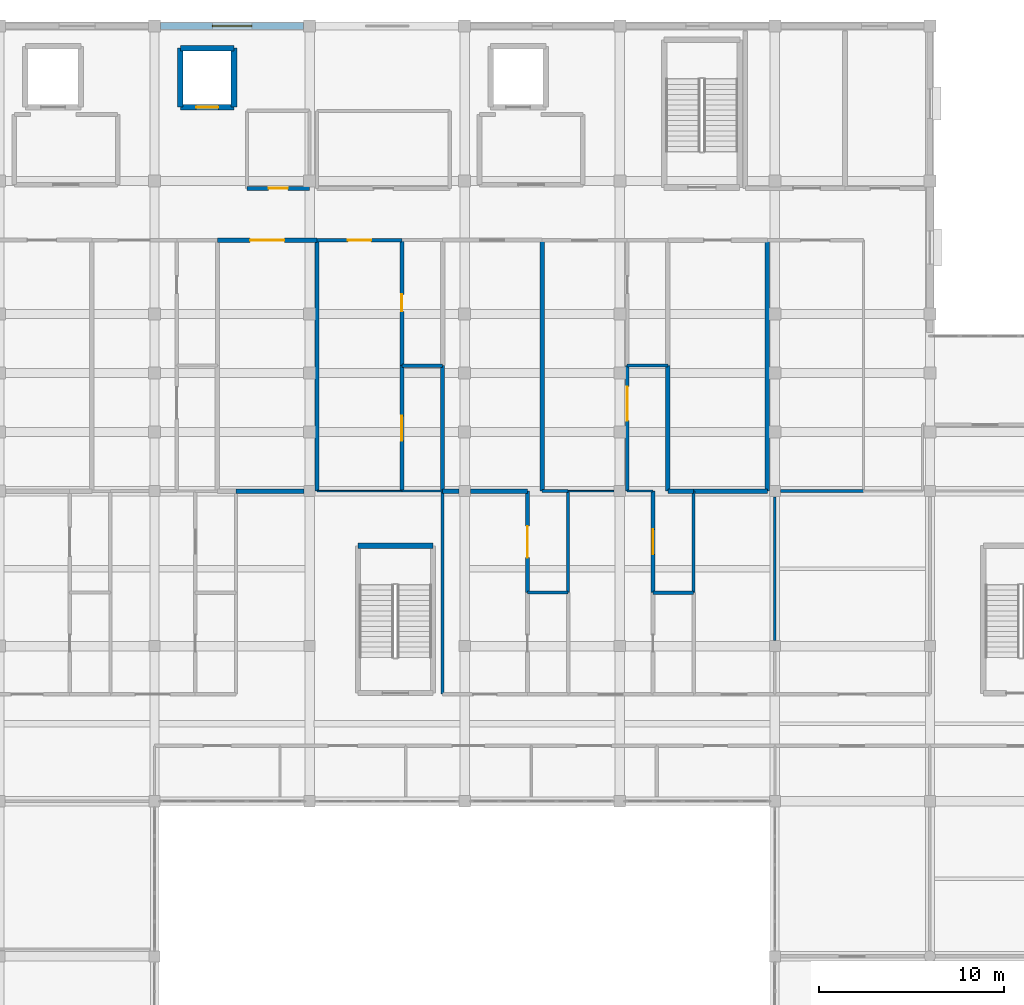
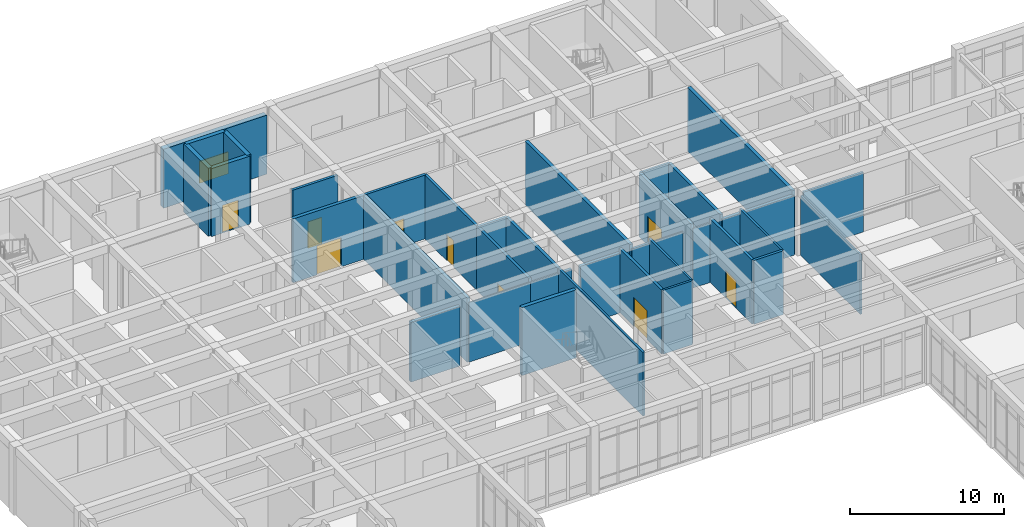
# One storey, part 58 of 89: 38 walls, 9 doors, 1 window, 10 openings.
"""IFC4 building model written with IfcOpenShell, lengths in metres."""

from ifc_helpers import new_model, si_unit, direction, frame, frame_2d, origin, place, context, subcontext, project, spatial, rectangle, extrude, material, layer, layer_set, type_object, element, fill, save


model = new_model("IFC4")

# Units and contexts
model_context = context("Model", 3, precision=1e-05, world=origin(), true_north=direction((0.0, 1.0)))
body_context = subcontext(model_context, "Body", "Model", "MODEL_VIEW")
ifc_project = project(units=[si_unit("LENGTHUNIT", "METRE"), si_unit("AREAUNIT", "SQUARE_METRE"), si_unit("VOLUMEUNIT", "CUBIC_METRE"), si_unit("PLANEANGLEUNIT", "RADIAN"), si_unit("MASSUNIT", "GRAM", prefix="KILO")], contexts=[model_context])

# Site, building, storey
site_placement = place(None, origin())
site = spatial("IfcSite", under=ifc_project, at=site_placement, CompositionType="ELEMENT")
building_placement = place(site_placement, origin())
building = spatial("IfcBuilding", under=site, at=building_placement, Name="Varncliffe General Hospital", CompositionType="ELEMENT")
storey_placement = place(building_placement, frame((0.0, 0.0, 10.800048828125)))
storey = spatial("IfcBuildingStorey", under=building, at=storey_placement, Name="L02", CompositionType="ELEMENT", Elevation=10.800048828125)

# Wall, opening, window
ifc_material_1 = material(Name="Precast concrete C40/50 with insulated cream lime-cement stucco", Category="concrete")
ifc_layer_1 = layer(ifc_material_1, 0.39990234375)
ifc_layer_set_1 = layer_set([ifc_layer_1], Name="Precast concrete C40/50 with insulated cream lime-cement stucco")
wall_type_1 = type_object("IfcWallType", Name="Exterior Insulated Stucco Wall EW47 (400mm)", PredefinedType="SOLIDWALL", material=ifc_layer_set_1)
wall_1_placement = place(storey_placement, frame((25.52294921875, 124.800048828125, 0.0), z_axis=(0.0, 0.0, 1.0), x_axis=(1.0, 0.0, 0.0)))
wall_1 = element("IfcWall", 1, at=wall_1_placement, inside=storey, type_object=wall_type_1, Name="L02 Exterior Stucco Wall EW47-175", PredefinedType="SOLIDWALL", context=body_context, shape_type="SweptSolid", body=[
    extrude(rectangle(XDim=7.754150390625, YDim=0.39990234375, at=frame_2d((3.876953125, 0.0))), origin(), (0.0, 0.0, 1.0), 4.679931640625),
])
opening_1_placement = place(wall_1_placement, frame((2.802001953125, 0.0, 0.89990234375)))
opening_1 = element("IfcOpeningElement", 2, at=opening_1_placement, cuts=wall_1, Name="Opening WN63", PredefinedType="OPENING", context=body_context, shape_type="SweptSolid", body=[
    extrude(rectangle(XDim=2.14990234375, YDim=1.75, at=frame_2d((1.074951171875, 0.875))), frame((0.0, 0.2099609375, 0.0), z_axis=(0.0, -1.0, 0.0), x_axis=(1.0, 0.0, 0.0)), (0.0, 0.0, 1.0), 0.419921875),
])
ifc_material_2 = material(Name="Triple low-E argon insulated vision glazing", Category="glass")
window_type = type_object("IfcWindowType", Name="Triple-Glazed Hospital Window WN63 (2150x1750)", PartitioningType="DOUBLE_PANEL_VERTICAL", PredefinedType="WINDOW", material=ifc_material_2)
window_placement = place(opening_1_placement, origin())
window = element("IfcWindow", 3, at=window_placement, inside=storey, type_object=window_type, Name="L02 Hospital Window WN63-110", OverallHeight=1.75, OverallWidth=2.14990234375, PartitioningType="DOUBLE_PANEL_VERTICAL", PredefinedType="WINDOW", context=body_context, shape_type="SweptSolid", body=[
    extrude(rectangle(XDim=2.14990234375, YDim=1.75, at=frame_2d((1.074951171875, 0.875))), frame((0.0, 0.030029296875, 0.0), z_axis=(0.0, -1.0, 0.0), x_axis=(1.0, 0.0, 0.0)), (0.0, 0.0, 1.0), 0.06005859375),
])
fill(opening_1, window)

# Walls
ifc_material_3 = material(Name="Acoustic clinical gypsum stud partition assembly", Category="gypsum")
ifc_layer_2 = layer(ifc_material_3, 0.1298828125)
ifc_layer_set_2 = layer_set([ifc_layer_2], Name="Acoustic clinical gypsum stud partition assembly")
wall_type_2 = type_object("IfcWallType", Name="Interior Partitioning IW11 (130mm)", PredefinedType="PARTITIONING", material=ifc_layer_set_2)
wall_2_placement = place(storey_placement, frame((58.800048828125, 91.514892578125, 0.0), z_axis=(0.0, 0.0, 1.0), x_axis=(0.0, 1.0, 0.0)))
element("IfcWall", 4, at=wall_2_placement, inside=storey, type_object=wall_type_2, Name="L02 Interior Partition Wall IW11-1193", PredefinedType="PARTITIONING", context=body_context, shape_type="SweptSolid", body=[
    extrude(rectangle(XDim=7.77001953125, YDim=0.1298828125, at=frame_2d((3.885009765625, 0.0))), origin(), (0.0, 0.0, 1.0), 4.73486328125),
])
ifc_layer_3 = layer(ifc_material_3, 0.169921875)
ifc_layer_set_3 = layer_set([ifc_layer_3], Name="Acoustic clinical gypsum stud partition assembly")
wall_type_3 = type_object("IfcWallType", Name="Interior Partitioning IW20 (170mm)", PredefinedType="PARTITIONING", material=ifc_layer_set_3)
wall_3_placement = place(storey_placement, frame((46.199951171875, 99.60009765625, 0.0), z_axis=(0.0, 0.0, 1.0), x_axis=(1.0, 0.0, 0.0)))
element("IfcWall", 5, at=wall_3_placement, inside=storey, type_object=wall_type_3, Name="L02 Interior Partition Wall IW20-1010", PredefinedType="PARTITIONING", context=body_context, shape_type="SweptSolid", body=[
    extrude(rectangle(XDim=1.400146484375, YDim=0.169921875, at=frame_2d((0.7001953125, 0.0))), origin(), (0.0, 0.0, 1.0), 4.73486328125),
])
wall_4_placement = place(storey_placement, frame((59.114990234375, 99.60009765625, 0.0), z_axis=(0.0, 0.0, 1.0), x_axis=(1.0, 0.0, 0.0)))
element("IfcWall", 6, at=wall_4_placement, inside=storey, type_object=wall_type_3, Name="L02 Interior Partition Wall IW20-1015", PredefinedType="PARTITIONING", context=body_context, shape_type="SweptSolid", body=[
    extrude(rectangle(XDim=4.485107421875, YDim=0.169921875, at=frame_2d((2.24267578125, 0.0))), origin(), (0.0, 0.0, 1.0), 4.73486328125),
])
ifc_layer_4 = layer(ifc_material_3, 0.14990234375)
ifc_layer_set_4 = layer_set([ifc_layer_4], Name="Acoustic clinical gypsum stud partition assembly")
wall_type_4 = type_object("IfcWallType", Name="Interior Partitioning IW35 (150mm)", PredefinedType="PARTITIONING", material=ifc_layer_set_4)
wall_5_placement = place(storey_placement, frame((40.800048828125, 88.60009765625, 0.0), z_axis=(0.0, 0.0, 1.0), x_axis=(0.0, 1.0, 0.0)))
element("IfcWall", 7, at=wall_5_placement, inside=storey, type_object=wall_type_4, Name="L02 Interior Partition Wall IW35-1169", PredefinedType="PARTITIONING", context=body_context, shape_type="SweptSolid", body=[
    extrude(rectangle(XDim=11.0, YDim=0.14990234375, at=frame_2d((5.5, 0.0))), origin(), (0.0, 0.0, 1.0), 5.070068359375),
])
for number, where, z_axis, x_axis, name in (
    (8, (47.60009765625, 94.10009765625, 0.0), (0.0, 0.0, 1.0), (0.0, 1.0, 0.0), "L02 Interior Partition Wall IW35-1179"),
    (9, (54.39990234375, 94.10009765625, 0.0), (0.0, 0.0, 1.0), (0.0, 1.0, 0.0), "L02 Interior Partition Wall IW35-1189"),
):
    element("IfcWall", number, at=place(storey_placement, frame(where, z_axis=z_axis, x_axis=x_axis)), inside=storey, type_object=wall_type_4, Name=name, PredefinedType="PARTITIONING", context=body_context, shape_type="SweptSolid", body=[
        extrude(rectangle(XDim=5.5, YDim=0.14990234375, at=frame_2d((2.75, 0.0))), origin(), (0.0, 0.0, 1.0), 5.070068359375),
    ])
ifc_layer_5 = layer(ifc_material_3, 0.090087890625)
ifc_layer_set_5 = layer_set([ifc_layer_5], Name="Acoustic clinical gypsum stud partition assembly")
wall_type_5 = type_object("IfcWallType", Name="Interior Partitioning IW42 (90mm)", PredefinedType="PARTITIONING", material=ifc_layer_set_5)
wall_6_placement = place(storey_placement, frame((34.0, 99.60009765625, 0.0), z_axis=(0.0, 0.0, 1.0), x_axis=(1.0, 0.0, 0.0)))
element("IfcWall", 10, at=wall_6_placement, inside=storey, type_object=wall_type_5, Name="L02 Interior Partition Wall IW42-1006", PredefinedType="PARTITIONING", context=body_context, shape_type="SweptSolid", body=[
    extrude(rectangle(XDim=4.60009765625, YDim=0.090087890625, at=frame_2d((2.300048828125, 0.0))), origin(), (0.0, 0.0, 1.0), 4.73486328125),
])
wall_7_placement = place(storey_placement, frame((47.60009765625, 99.60009765625, 0.0), z_axis=(0.0, 0.0, 1.0), x_axis=(1.0, 0.0, 0.0)))
element("IfcWall", 11, at=wall_7_placement, inside=storey, type_object=wall_type_5, Name="L02 Interior Partition Wall IW42-1011", PredefinedType="PARTITIONING", context=body_context, shape_type="SweptSolid", body=[
    extrude(rectangle(XDim=2.48486328125, YDim=0.090087890625, at=frame_2d((1.242431640625, 0.0))), origin(), (0.0, 0.0, 1.0), 4.73486328125),
])
ifc_layer_6 = layer(ifc_material_3, 0.110107421875)
ifc_layer_set_6 = layer_set([ifc_layer_6], Name="Acoustic clinical gypsum stud partition assembly")
wall_type_6 = type_object("IfcWallType", Name="Interior Partitioning IW65 (110mm)", PredefinedType="PARTITIONING", material=ifc_layer_set_6)
wall_8_placement = place(storey_placement, frame((38.60009765625, 99.60009765625, 0.0), z_axis=(0.0, 0.0, 1.0), x_axis=(1.0, 0.0, 0.0)))
element("IfcWall", 12, at=wall_8_placement, inside=storey, type_object=wall_type_6, Name="L02 Interior Partition Wall IW65-1007", PredefinedType="PARTITIONING", context=body_context, shape_type="SweptSolid", body=[
    extrude(rectangle(XDim=2.199951171875, YDim=0.110107421875, at=frame_2d((1.10009765625, 0.0))), origin(), (0.0, 0.0, 1.0), 4.73486328125),
])
wall_9_placement = place(storey_placement, frame((50.800048828125, 99.60009765625, 0.0), z_axis=(0.0, 0.0, 1.0), x_axis=(1.0, 0.0, 0.0)))
element("IfcWall", 13, at=wall_9_placement, inside=storey, type_object=wall_type_6, Name="L02 Interior Partition Wall IW65-1012", PredefinedType="PARTITIONING", context=body_context, shape_type="SweptSolid", body=[
    extrude(rectangle(XDim=1.39990234375, YDim=0.110107421875, at=frame_2d((0.699951171875, 0.0))), origin(), (0.0, 0.0, 1.0), 4.73486328125),
])
ifc_material_4 = material(Name="Fire-rated gypsum and mineral-wool partition assembly", Category="gypsum")
ifc_layer_7 = layer(ifc_material_4, 0.25)
ifc_layer_set_7 = layer_set([ifc_layer_7], Name="Fire-rated gypsum and mineral-wool partition assembly")
wall_type_7 = type_object("IfcWallType", Name="Interior Partitioning PW38 (250mm)", PredefinedType="PARTITIONING", material=ifc_layer_set_7)
wall_10_placement = place(storey_placement, frame((29.60009765625, 99.60009765625, 0.0), z_axis=(0.0, 0.0, 1.0), x_axis=(1.0, 0.0, 0.0)))
element("IfcWall", 14, at=wall_10_placement, inside=storey, type_object=wall_type_7, Name="L02 Interior Partition Wall PW38-1005", PredefinedType="PARTITIONING", context=body_context, shape_type="SweptSolid", body=[
    extrude(rectangle(XDim=3.684814453125, YDim=0.25, at=frame_2d((1.84228515625, 0.0))), origin(), (0.0, 0.0, 1.0), 4.73486328125),
])
wall_11_placement = place(storey_placement, frame((53.0, 99.60009765625, 0.0), z_axis=(0.0, 0.0, 1.0), x_axis=(1.0, 0.0, 0.0)))
element("IfcWall", 15, at=wall_11_placement, inside=storey, type_object=wall_type_7, Name="L02 Interior Partition Wall PW38-1013", PredefinedType="PARTITIONING", context=body_context, shape_type="SweptSolid", body=[
    extrude(rectangle(XDim=1.39990234375, YDim=0.25, at=frame_2d((0.699951171875, 0.0))), origin(), (0.0, 0.0, 1.0), 4.73486328125),
])

# Wall, opening, door
wall_12_placement = place(storey_placement, frame((28.60009765625, 113.199951171875, 0.0), z_axis=(0.0, 0.0, 1.0), x_axis=(1.0, 0.0, 0.0)))
wall_12 = element("IfcWall", 16, at=wall_12_placement, inside=storey, type_object=wall_type_7, Name="L02 Interior Partition Wall PW38-1069", PredefinedType="PARTITIONING", context=body_context, shape_type="SweptSolid", body=[
    extrude(rectangle(XDim=5.39990234375, YDim=0.25, at=frame_2d((2.699951171875, 0.0))), origin(), (0.0, 0.0, 1.0), 5.070068359375),
])
opening_2_placement = place(wall_12_placement, frame((1.77490234375, 0.0, 0.0)))
opening_2 = element("IfcOpeningElement", 17, at=opening_2_placement, cuts=wall_12, Name="Opening DC38", PredefinedType="OPENING", context=body_context, shape_type="SweptSolid", body=[
    extrude(rectangle(XDim=1.85009765625, YDim=2.300048828125, at=frame_2d((0.925048828125, 1.14990234375))), frame((0.0, 0.135009765625, 0.0), z_axis=(0.0, -1.0, 0.0), x_axis=(1.0, 0.0, 0.0)), (0.0, 0.0, 1.0), 0.27001953125),
])
ifc_material_5 = material(Name="Fire-rated hospital steel-frame vision-panel door", Category="steel")
door_type_1 = type_object("IfcDoorType", Name="Interior Hospital Door DC38 (1850x2300)", OperationType="NOTDEFINED", PredefinedType="DOOR", material=ifc_material_5)
door_1_placement = place(opening_2_placement, frame((1.85009765625, 0.0, 0.0), z_axis=(0.0, 0.0, 1.0), x_axis=(-1.0, 0.0, 0.0)))
door_1 = element("IfcDoor", 18, at=door_1_placement, inside=storey, type_object=door_type_1, Name="L02 Surgical Sub-Sterile Utility Store 117 Door", OperationType="SINGLE_SWING_RIGHT", OverallHeight=2.300048828125, OverallWidth=1.85009765625, PredefinedType="DOOR", context=body_context, shape_type="SweptSolid", body=[
    extrude(rectangle(XDim=1.85009765625, YDim=2.300048828125, at=frame_2d((0.925048828125, 1.14990234375))), frame((0.0, 0.02490234375, 0.0), z_axis=(0.0, -1.0, 0.0), x_axis=(1.0, 0.0, 0.0)), (0.0, 0.0, 1.0), 0.050048828125),
])
fill(opening_2, door_1)

# Walls
for number, where, z_axis, x_axis, name in (
    (19, (46.199951171875, 99.60009765625, 0.0), (0.0, 0.0, 1.0), (0.0, 1.0, 0.0), "L02 Interior Partition Wall PW38-1177"),
    (20, (58.39990234375, 99.60009765625, 0.0), (0.0, 0.0, 1.0), (0.0, 1.0, 0.0), "L02 Interior Partition Wall PW38-1191"),
):
    element("IfcWall", number, at=place(storey_placement, frame(where, z_axis=z_axis, x_axis=x_axis)), inside=storey, type_object=wall_type_7, Name=name, PredefinedType="PARTITIONING", context=body_context, shape_type="SweptSolid", body=[
        extrude(rectangle(XDim=13.599853515625, YDim=0.25, at=frame_2d((6.7998046875, 0.0))), origin(), (0.0, 0.0, 1.0), 5.070068359375),
    ])
ifc_layer_8 = layer(ifc_material_4, 0.22998046875)
ifc_layer_set_8 = layer_set([ifc_layer_8], Name="Fire-rated gypsum and mineral-wool partition assembly")
wall_type_8 = type_object("IfcWallType", Name="Interior Partitioning PW48 (230mm)", PredefinedType="PARTITIONING", material=ifc_layer_set_8)
wall_13_placement = place(storey_placement, frame((42.31494140625, 99.60009765625, 0.0), z_axis=(0.0, 0.0, 1.0), x_axis=(1.0, 0.0, 0.0)))
element("IfcWall", 21, at=wall_13_placement, inside=storey, type_object=wall_type_8, Name="L02 Interior Partition Wall PW48-1008", PredefinedType="PARTITIONING", context=body_context, shape_type="SweptSolid", body=[
    extrude(rectangle(XDim=3.0849609375, YDim=0.22998046875, at=frame_2d((1.54248046875, 0.0))), origin(), (0.0, 0.0, 1.0), 4.73486328125),
])
wall_14_placement = place(storey_placement, frame((40.800048828125, 99.60009765625, 0.0), z_axis=(0.0, 0.0, 1.0), x_axis=(1.0, 0.0, 0.0)))
element("IfcWall", 22, at=wall_14_placement, inside=storey, type_object=wall_type_8, Name="L02 Interior Partition Wall PW48-1009", PredefinedType="PARTITIONING", context=body_context, shape_type="SweptSolid", body=[
    extrude(rectangle(XDim=0.885009765625, YDim=0.22998046875, at=frame_2d((0.4423828125, 0.0))), origin(), (0.0, 0.0, 1.0), 4.73486328125),
])
wall_15_placement = place(storey_placement, frame((54.39990234375, 99.60009765625, 0.0), z_axis=(0.0, 0.0, 1.0), x_axis=(1.0, 0.0, 0.0)))
element("IfcWall", 23, at=wall_15_placement, inside=storey, type_object=wall_type_8, Name="L02 Interior Partition Wall PW48-1014", PredefinedType="PARTITIONING", context=body_context, shape_type="SweptSolid", body=[
    extrude(rectangle(XDim=4.0, YDim=0.22998046875, at=frame_2d((2.0, 0.0))), origin(), (0.0, 0.0, 1.0), 4.73486328125),
])
wall_16_placement = place(storey_placement, frame((34.0, 99.60009765625, 0.0), z_axis=(0.0, 0.0, 1.0), x_axis=(0.0, 1.0, 0.0)))
element("IfcWall", 24, at=wall_16_placement, inside=storey, type_object=wall_type_8, Name="L02 Interior Partition Wall PW48-1164", PredefinedType="PARTITIONING", context=body_context, shape_type="SweptSolid", body=[
    extrude(rectangle(XDim=13.599853515625, YDim=0.22998046875, at=frame_2d((6.7998046875, 0.0))), origin(), (0.0, 0.0, 1.0), 5.070068359375),
])
for number, where, z_axis, x_axis, name in (
    (25, (40.800048828125, 99.60009765625, 0.0), (0.0, 0.0, 1.0), (0.0, 1.0, 0.0), "L02 Interior Partition Wall PW48-1170"),
    (26, (53.0, 99.60009765625, 0.0), (0.0, 0.0, 1.0), (0.0, 1.0, 0.0), "L02 Interior Partition Wall PW48-1186"),
):
    element("IfcWall", number, at=place(storey_placement, frame(where, z_axis=z_axis, x_axis=x_axis)), inside=storey, type_object=wall_type_8, Name=name, PredefinedType="PARTITIONING", context=body_context, shape_type="SweptSolid", body=[
        extrude(rectangle(XDim=6.7998046875, YDim=0.22998046875, at=frame_2d((3.39990234375, 0.0))), origin(), (0.0, 0.0, 1.0), 5.070068359375),
    ])

# Wall, opening, door
ifc_layer_9 = layer(ifc_material_4, 0.199951171875)
ifc_layer_set_9 = layer_set([ifc_layer_9], Name="Fire-rated gypsum and mineral-wool partition assembly")
wall_type_9 = type_object("IfcWallType", Name="Interior Partitioning PW63 (200mm)", PredefinedType="PARTITIONING", material=ifc_layer_set_9)
wall_17_placement = place(storey_placement, frame((34.0, 113.199951171875, 0.0), z_axis=(0.0, 0.0, 1.0), x_axis=(1.0, 0.0, 0.0)))
wall_17 = element("IfcWall", 27, at=wall_17_placement, inside=storey, type_object=wall_type_9, Name="L02 Interior Partition Wall PW63-1070", PredefinedType="PARTITIONING", context=body_context, shape_type="SweptSolid", body=[
    extrude(rectangle(XDim=4.60009765625, YDim=0.199951171875, at=frame_2d((2.300048828125, 0.0))), origin(), (0.0, 0.0, 1.0), 5.070068359375),
])
opening_3_placement = place(wall_17_placement, frame((1.675048828125, 0.0, 0.0)))
opening_3 = element("IfcOpeningElement", 28, at=opening_3_placement, cuts=wall_17, Name="Opening DC44", PredefinedType="OPENING", context=body_context, shape_type="SweptSolid", body=[
    extrude(rectangle(XDim=1.25, YDim=2.14990234375, at=frame_2d((0.625, 1.074951171875))), frame((0.0, 0.10986328125, 0.0), z_axis=(0.0, -1.0, 0.0), x_axis=(1.0, 0.0, 0.0)), (0.0, 0.0, 1.0), 0.219970703125),
])
door_type_2 = type_object("IfcDoorType", Name="Interior Hospital Door DC44 (1250x2150)", OperationType="NOTDEFINED", PredefinedType="DOOR", material=ifc_material_5)
door_2_placement = place(opening_3_placement, frame((1.25, 0.0, 0.0), z_axis=(0.0, 0.0, 1.0), x_axis=(-1.0, 0.0, 0.0)))
door_2 = element("IfcDoor", 29, at=door_2_placement, inside=storey, type_object=door_type_2, Name="L02 Surgical Inpatient Ward Room 118 Door", OperationType="SINGLE_SWING_LEFT", OverallHeight=2.14990234375, OverallWidth=1.25, PredefinedType="DOOR", context=body_context, shape_type="SweptSolid", body=[
    extrude(rectangle(XDim=1.25, YDim=2.14990234375, at=frame_2d((0.625, 1.074951171875))), frame((0.0, 0.02490234375, 0.0), z_axis=(0.0, -1.0, 0.0), x_axis=(1.0, 0.0, 0.0)), (0.0, 0.0, 1.0), 0.050048828125),
])
fill(opening_3, door_2)

wall_18_placement = place(storey_placement, frame((30.199951171875, 116.0, 0.0), z_axis=(0.0, 0.0, 1.0), x_axis=(1.0, 0.0, 0.0)))
wall_18 = element("IfcWall", 30, at=wall_18_placement, inside=storey, type_object=wall_type_9, Name="L02 Interior Partition Wall PW63-1093", PredefinedType="PARTITIONING", context=body_context, shape_type="SweptSolid", body=[
    extrude(rectangle(XDim=3.400146484375, YDim=0.199951171875, at=frame_2d((1.7001953125, 0.0))), origin(), (0.0, 0.0, 1.0), 5.070068359375),
])
opening_4_placement = place(wall_18_placement, frame((1.179931640625, 0.0, 0.0)))
opening_4 = element("IfcOpeningElement", 31, at=opening_4_placement, cuts=wall_18, Name="Opening DI77", PredefinedType="OPENING", context=body_context, shape_type="SweptSolid", body=[
    extrude(rectangle(XDim=1.0400390625, YDim=2.10009765625, at=frame_2d((0.52001953125, 1.050048828125))), frame((0.0, 0.10986328125, 0.0), z_axis=(0.0, -1.0, 0.0), x_axis=(1.0, 0.0, 0.0)), (0.0, 0.0, 1.0), 0.219970703125),
])
ifc_material_6 = material(Name="Solid-core antimicrobial hospital oak veneer door", Category="wood")
door_type_3 = type_object("IfcDoorType", Name="Interior Hospital Door DI77 (1040x2100)", OperationType="NOTDEFINED", PredefinedType="DOOR", material=ifc_material_6)
door_3_placement = place(opening_4_placement, origin())
door_3 = element("IfcDoor", 32, at=door_3_placement, inside=storey, type_object=door_type_3, Name="L02 Accessible WC L02-NW Door", OperationType="SINGLE_SWING_RIGHT", OverallHeight=2.10009765625, OverallWidth=1.0400390625, PredefinedType="DOOR", context=body_context, shape_type="SweptSolid", body=[
    extrude(rectangle(XDim=1.0400390625, YDim=2.10009765625, at=frame_2d((0.52001953125, 1.050048828125))), frame((0.0, 0.02490234375, 0.0), z_axis=(0.0, -1.0, 0.0), x_axis=(1.0, 0.0, 0.0)), (0.0, 0.0, 1.0), 0.050048828125),
])
fill(opening_4, door_3)

wall_19_placement = place(storey_placement, frame((38.60009765625, 99.60009765625, 0.0), z_axis=(0.0, 0.0, 1.0), x_axis=(0.0, 1.0, 0.0)))
wall_19 = element("IfcWall", 33, at=wall_19_placement, inside=storey, type_object=wall_type_9, Name="L02 Interior Partition Wall PW63-1166", PredefinedType="PARTITIONING", context=body_context, shape_type="SweptSolid", body=[
    extrude(rectangle(XDim=6.7998046875, YDim=0.199951171875, at=frame_2d((3.39990234375, 0.0))), origin(), (0.0, 0.0, 1.0), 5.070068359375),
])
opening_5_placement = place(wall_19_placement, frame((2.72509765625, 0.0, 0.0)))
opening_5 = element("IfcOpeningElement", 34, at=opening_5_placement, cuts=wall_19, Name="Opening DC85", PredefinedType="OPENING", context=body_context, shape_type="SweptSolid", body=[
    extrude(rectangle(XDim=1.35009765625, YDim=2.199951171875, at=frame_2d((0.675048828125, 1.10009765625))), frame((0.0, 0.10986328125, 0.0), z_axis=(0.0, -1.0, 0.0), x_axis=(1.0, 0.0, 0.0)), (0.0, 0.0, 1.0), 0.219970703125),
])
door_type_4 = type_object("IfcDoorType", Name="Interior Hospital Door DC85 (1350x2200)", OperationType="NOTDEFINED", PredefinedType="DOOR", material=ifc_material_5)
door_4_placement = place(opening_5_placement, frame((1.35009765625, 0.0, 0.0), z_axis=(0.0, 0.0, 1.0), x_axis=(-1.0, 0.0, 0.0)))
door_4 = element("IfcDoor", 35, at=door_4_placement, inside=storey, type_object=door_type_4, Name="L02 Patient Medication and Hygiene Bay 120 Door", OperationType="SINGLE_SWING_RIGHT", OverallHeight=2.199951171875, OverallWidth=1.35009765625, PredefinedType="DOOR", context=body_context, shape_type="SweptSolid", body=[
    extrude(rectangle(XDim=1.35009765625, YDim=2.199951171875, at=frame_2d((0.675048828125, 1.10009765625))), frame((0.0, 0.02490234375, 0.0), z_axis=(0.0, -1.0, 0.0), x_axis=(1.0, 0.0, 0.0)), (0.0, 0.0, 1.0), 0.050048828125),
])
fill(opening_5, door_4)

wall_20_placement = place(storey_placement, frame((38.60009765625, 106.39990234375, 0.0), z_axis=(0.0, 0.0, 1.0), x_axis=(0.0, 1.0, 0.0)))
wall_20 = element("IfcWall", 36, at=wall_20_placement, inside=storey, type_object=wall_type_9, Name="L02 Interior Partition Wall PW63-1167", PredefinedType="PARTITIONING", context=body_context, shape_type="SweptSolid", body=[
    extrude(rectangle(XDim=6.800048828125, YDim=0.199951171875, at=frame_2d((3.39990234375, 0.0))), origin(), (0.0, 0.0, 1.0), 5.070068359375),
])
opening_6_placement = place(wall_20_placement, frame((2.93994140625, 0.0, 0.0)))
opening_6 = element("IfcOpeningElement", 37, at=opening_6_placement, cuts=wall_20, Name="Opening DI70", PredefinedType="OPENING", context=body_context, shape_type="SweptSolid", body=[
    extrude(rectangle(XDim=0.919921875, YDim=2.10009765625, at=frame_2d((0.4599609375, 1.050048828125))), frame((0.0, 0.10986328125, 0.0), z_axis=(0.0, -1.0, 0.0), x_axis=(1.0, 0.0, 0.0)), (0.0, 0.0, 1.0), 0.219970703125),
])
door_type_5 = type_object("IfcDoorType", Name="Interior Hospital Door DI70 (920x2100)", OperationType="NOTDEFINED", PredefinedType="DOOR", material=ifc_material_6)
door_5_placement = place(opening_6_placement, frame((0.919921875, 0.0, 0.0), z_axis=(0.0, 0.0, 1.0), x_axis=(-1.0, 0.0, 0.0)))
door_5 = element("IfcDoor", 38, at=door_5_placement, inside=storey, type_object=door_type_5, Name="L02 En-Suite Bathroom 119 Door", OperationType="SINGLE_SWING_LEFT", OverallHeight=2.10009765625, OverallWidth=0.919921875, PredefinedType="DOOR", context=body_context, shape_type="SweptSolid", body=[
    extrude(rectangle(XDim=0.919921875, YDim=2.10009765625, at=frame_2d((0.4599609375, 1.050048828125))), frame((0.0, 0.02490234375, 0.0), z_axis=(0.0, -1.0, 0.0), x_axis=(1.0, 0.0, 0.0)), (0.0, 0.0, 1.0), 0.050048828125),
])
fill(opening_6, door_5)

wall_21_placement = place(storey_placement, frame((45.39990234375, 94.10009765625, 0.0), z_axis=(0.0, 0.0, 1.0), x_axis=(0.0, 1.0, 0.0)))
wall_21 = element("IfcWall", 39, at=wall_21_placement, inside=storey, type_object=wall_type_9, Name="L02 Interior Partition Wall PW63-1175", PredefinedType="PARTITIONING", context=body_context, shape_type="SweptSolid", body=[
    extrude(rectangle(XDim=5.5, YDim=0.199951171875, at=frame_2d((2.75, 0.0))), origin(), (0.0, 0.0, 1.0), 5.070068359375),
])
opening_7_placement = place(wall_21_placement, frame((1.89990234375, 0.0, 0.0)))
opening_7 = element("IfcOpeningElement", 40, at=opening_7_placement, cuts=wall_21, Name="Opening DC50", PredefinedType="OPENING", context=body_context, shape_type="SweptSolid", body=[
    extrude(rectangle(XDim=1.699951171875, YDim=2.300048828125, at=frame_2d((0.85009765625, 1.14990234375))), frame((0.0, 0.10986328125, 0.0), z_axis=(0.0, -1.0, 0.0), x_axis=(1.0, 0.0, 0.0)), (0.0, 0.0, 1.0), 0.219970703125),
])
door_type_6 = type_object("IfcDoorType", Name="Interior Hospital Door DC50 (1700x2300)", OperationType="NOTDEFINED", PredefinedType="DOOR", material=ifc_material_5)
door_6_placement = place(opening_7_placement, frame((1.699951171875, 0.0, 0.0), z_axis=(0.0, 0.0, 1.0), x_axis=(-1.0, 0.0, 0.0)))
door_6 = element("IfcDoor", 41, at=door_6_placement, inside=storey, type_object=door_type_6, Name="L02 Patient Medication and Hygiene Bay 59 Door", OperationType="SINGLE_SWING_LEFT", OverallHeight=2.300048828125, OverallWidth=1.699951171875, PredefinedType="DOOR", context=body_context, shape_type="SweptSolid", body=[
    extrude(rectangle(XDim=1.699951171875, YDim=2.300048828125, at=frame_2d((0.85009765625, 1.14990234375))), frame((0.0, 0.02490234375, 0.0), z_axis=(0.0, -1.0, 0.0), x_axis=(1.0, 0.0, 0.0)), (0.0, 0.0, 1.0), 0.050048828125),
])
fill(opening_7, door_6)

wall_22_placement = place(storey_placement, frame((50.800048828125, 99.60009765625, 0.0), z_axis=(0.0, 0.0, 1.0), x_axis=(0.0, 1.0, 0.0)))
wall_22 = element("IfcWall", 42, at=wall_22_placement, inside=storey, type_object=wall_type_9, Name="L02 Interior Partition Wall PW63-1181", PredefinedType="PARTITIONING", context=body_context, shape_type="SweptSolid", body=[
    extrude(rectangle(XDim=6.7998046875, YDim=0.199951171875, at=frame_2d((3.39990234375, 0.0))), origin(), (0.0, 0.0, 1.0), 5.070068359375),
])
opening_8_placement = place(wall_22_placement, frame((3.81591796875, 0.0, 0.0)))
opening_8 = element("IfcOpeningElement", 43, at=opening_8_placement, cuts=wall_22, Name="Opening DC38", PredefinedType="OPENING", context=body_context, shape_type="SweptSolid", body=[
    extrude(rectangle(XDim=1.85009765625, YDim=2.300048828125, at=frame_2d((0.925048828125, 1.14990234375))), frame((0.0, 0.10986328125, 0.0), z_axis=(0.0, -1.0, 0.0), x_axis=(1.0, 0.0, 0.0)), (0.0, 0.0, 1.0), 0.219970703125),
])
door_7_placement = place(opening_8_placement, frame((1.85009765625, 0.0, 0.0), z_axis=(0.0, 0.0, 1.0), x_axis=(-1.0, 0.0, 0.0)))
door_7 = element("IfcDoor", 44, at=door_7_placement, inside=storey, type_object=door_type_1, Name="L02 Patient Medication and Hygiene Bay 124 Door", OperationType="SINGLE_SWING_RIGHT", OverallHeight=2.300048828125, OverallWidth=1.85009765625, PredefinedType="DOOR", context=body_context, shape_type="SweptSolid", body=[
    extrude(rectangle(XDim=1.85009765625, YDim=2.300048828125, at=frame_2d((0.925048828125, 1.14990234375))), frame((0.0, 0.02490234375, 0.0), z_axis=(0.0, -1.0, 0.0), x_axis=(1.0, 0.0, 0.0)), (0.0, 0.0, 1.0), 0.050048828125),
])
fill(opening_8, door_7)

wall_23_placement = place(storey_placement, frame((52.199951171875, 94.10009765625, 0.0), z_axis=(0.0, 0.0, 1.0), x_axis=(0.0, 1.0, 0.0)))
wall_23 = element("IfcWall", 45, at=wall_23_placement, inside=storey, type_object=wall_type_9, Name="L02 Interior Partition Wall PW63-1184", PredefinedType="PARTITIONING", context=body_context, shape_type="SweptSolid", body=[
    extrude(rectangle(XDim=5.5, YDim=0.199951171875, at=frame_2d((2.75, 0.0))), origin(), (0.0, 0.0, 1.0), 5.070068359375),
])
opening_9_placement = place(wall_23_placement, frame((2.074951171875, 0.0, 0.0)))
opening_9 = element("IfcOpeningElement", 46, at=opening_9_placement, cuts=wall_23, Name="Opening DC85", PredefinedType="OPENING", context=body_context, shape_type="SweptSolid", body=[
    extrude(rectangle(XDim=1.35009765625, YDim=2.199951171875, at=frame_2d((0.675048828125, 1.10009765625))), frame((0.0, 0.10986328125, 0.0), z_axis=(0.0, -1.0, 0.0), x_axis=(1.0, 0.0, 0.0)), (0.0, 0.0, 1.0), 0.219970703125),
])
door_8_placement = place(opening_9_placement, frame((1.35009765625, 0.0, 0.0), z_axis=(0.0, 0.0, 1.0), x_axis=(-1.0, 0.0, 0.0)))
door_8 = element("IfcDoor", 47, at=door_8_placement, inside=storey, type_object=door_type_4, Name="L02 Patient Medication and Hygiene Bay 62 Door", OperationType="SINGLE_SWING_LEFT", OverallHeight=2.199951171875, OverallWidth=1.35009765625, PredefinedType="DOOR", context=body_context, shape_type="SweptSolid", body=[
    extrude(rectangle(XDim=1.35009765625, YDim=2.199951171875, at=frame_2d((0.675048828125, 1.10009765625))), frame((0.0, 0.02490234375, 0.0), z_axis=(0.0, -1.0, 0.0), x_axis=(1.0, 0.0, 0.0)), (0.0, 0.0, 1.0), 0.050048828125),
])
fill(opening_9, door_8)

# Walls
ifc_material_7 = material(Name="Moisture-resistant plumbing chase wall assembly", Category="gypsum")
ifc_layer_10 = layer(ifc_material_7, 0.18994140625)
ifc_layer_set_10 = layer_set([ifc_layer_10], Name="Moisture-resistant plumbing chase wall assembly")
wall_type_10 = type_object("IfcWallType", Name="Interior Plumbingwall MW17 (190mm)", PredefinedType="PLUMBINGWALL", material=ifc_layer_set_10)
for number, where, z_axis, x_axis, name in (
    (48, (52.199951171875, 94.10009765625, 0.0), (0.0, 0.0, 1.0), (1.0, 0.0, 0.0), "L02 Interior Plumbing Wall MW17-988"),
    (49, (38.60009765625, 106.39990234375, 0.0), (0.0, 0.0, 1.0), (1.0, 0.0, 0.0), "L02 Interior Plumbing Wall MW17-1056"),
):
    element("IfcWall", number, at=place(storey_placement, frame(where, z_axis=z_axis, x_axis=x_axis)), inside=storey, type_object=wall_type_10, Name=name, PredefinedType="PLUMBINGWALL", context=body_context, shape_type="SweptSolid", body=[
        extrude(rectangle(XDim=2.199951171875, YDim=0.18994140625, at=frame_2d((1.10009765625, 0.0))), origin(), (0.0, 0.0, 1.0), 5.070068359375),
    ])
ifc_layer_11 = layer(ifc_material_7, 0.159912109375)
ifc_layer_set_11 = layer_set([ifc_layer_11], Name="Moisture-resistant plumbing chase wall assembly")
wall_type_11 = type_object("IfcWallType", Name="Interior Plumbingwall MW31 (160mm)", PredefinedType="PLUMBINGWALL", material=ifc_layer_set_11)
wall_24_placement = place(storey_placement, frame((45.39990234375, 94.10009765625, 0.0), z_axis=(0.0, 0.0, 1.0), x_axis=(1.0, 0.0, 0.0)))
element("IfcWall", 50, at=wall_24_placement, inside=storey, type_object=wall_type_11, Name="L02 Interior Plumbing Wall MW31-987", PredefinedType="PLUMBINGWALL", context=body_context, shape_type="SweptSolid", body=[
    extrude(rectangle(XDim=2.2001953125, YDim=0.159912109375, at=frame_2d((1.10009765625, 0.0))), origin(), (0.0, 0.0, 1.0), 5.070068359375),
])
wall_25_placement = place(storey_placement, frame((50.800048828125, 106.39990234375, 0.0), z_axis=(0.0, 0.0, 1.0), x_axis=(1.0, 0.0, 0.0)))
element("IfcWall", 51, at=wall_25_placement, inside=storey, type_object=wall_type_11, Name="L02 Interior Plumbing Wall MW31-1057", PredefinedType="PLUMBINGWALL", context=body_context, shape_type="SweptSolid", body=[
    extrude(rectangle(XDim=2.199951171875, YDim=0.159912109375, at=frame_2d((1.10009765625, 0.0))), origin(), (0.0, 0.0, 1.0), 5.070068359375),
])

# Wall, opening, door
ifc_material_8 = material(Name="Concrete C40/50 (CSA A23.1 40 MPa)", Category="concrete")
ifc_layer_12 = layer(ifc_material_8, 0.300048828125)
ifc_layer_set_12 = layer_set([ifc_layer_12], Name="Concrete C40/50 (CSA A23.1 40 MPa)")
wall_type_12 = type_object("IfcWallType", Name="Reinforced Concrete Core Shear Wall CW12 (300mm)", PredefinedType="SHEAR", material=ifc_layer_set_12)
wall_26_placement = place(storey_placement, frame((26.60009765625, 120.39990234375, 0.0), z_axis=(0.0, 0.0, 1.0), x_axis=(1.0, 0.0, 0.0)))
wall_26 = element("IfcWall", 52, at=wall_26_placement, inside=storey, type_object=wall_type_12, Name="L02 LF04 Elevator Shaft Wall South", PredefinedType="SHEAR", context=body_context, shape_type="SweptSolid", body=[
    extrude(rectangle(XDim=2.89990234375, YDim=0.300048828125, at=frame_2d((1.449951171875, 0.0))), origin(), (0.0, 0.0, 1.0), 5.39990234375),
])
opening_10_placement = place(wall_26_placement, frame((0.85009765625, 0.0, 0.0)))
opening_10 = element("IfcOpeningElement", 53, at=opening_10_placement, cuts=wall_26, Name="Opening LD01", PredefinedType="OPENING", context=body_context, shape_type="SweptSolid", body=[
    extrude(rectangle(XDim=1.199951171875, YDim=2.199951171875, at=frame_2d((0.60009765625, 1.10009765625))), frame((0.0, 0.16015625, 0.0), z_axis=(0.0, -1.0, 0.0), x_axis=(1.0, 0.0, 0.0)), (0.0, 0.0, 1.0), 0.320068359375),
])
ifc_material_9 = material(Name="Brushed stainless-steel sliding elevator landing door", Category="steel")
door_type_7 = type_object("IfcDoorType", Name="Lift Landing Door LD01 (1200x2200)", OperationType="DOUBLE_DOOR_SLIDING", PredefinedType="DOOR", material=ifc_material_9)
door_9_placement = place(opening_10_placement, origin())
door_9 = element("IfcDoor", 54, at=door_9_placement, inside=storey, type_object=door_type_7, Name="Lift Landing Door LF04 L02", OperationType="DOUBLE_DOOR_SLIDING", OverallHeight=2.199951171875, OverallWidth=1.199951171875, PredefinedType="DOOR", context=body_context, shape_type="SweptSolid", body=[
    extrude(rectangle(XDim=1.199951171875, YDim=2.199951171875, at=frame_2d((0.60009765625, 1.10009765625))), frame((0.0, 0.02490234375, 0.0), z_axis=(0.0, -1.0, 0.0), x_axis=(1.0, 0.0, 0.0)), (0.0, 0.0, 1.0), 0.050048828125),
])
fill(opening_10, door_9)

# Walls
wall_27_placement = place(storey_placement, frame((29.5, 120.39990234375, 0.0), z_axis=(0.0, 0.0, 1.0), x_axis=(0.0, 1.0, 0.0)))
element("IfcWall", 55, at=wall_27_placement, inside=storey, type_object=wall_type_12, Name="L02 LF04 Elevator Shaft Wall East", PredefinedType="SHEAR", context=body_context, shape_type="SweptSolid", body=[
    extrude(rectangle(XDim=3.2001953125, YDim=0.300048828125, at=frame_2d((1.60009765625, 0.0))), origin(), (0.0, 0.0, 1.0), 5.39990234375),
])
wall_28_placement = place(storey_placement, frame((29.5, 123.60009765625, 0.0), z_axis=(0.0, 0.0, 1.0), x_axis=(-1.0, 0.0, 0.0)))
element("IfcWall", 56, at=wall_28_placement, inside=storey, type_object=wall_type_12, Name="L02 LF04 Elevator Shaft Wall North", PredefinedType="SHEAR", context=body_context, shape_type="SweptSolid", body=[
    extrude(rectangle(XDim=2.89990234375, YDim=0.300048828125, at=frame_2d((1.449951171875, 0.0))), origin(), (0.0, 0.0, 1.0), 5.39990234375),
])
wall_29_placement = place(storey_placement, frame((26.60009765625, 123.60009765625, 0.0), z_axis=(0.0, 0.0, 1.0), x_axis=(0.0, -1.0, 0.0)))
element("IfcWall", 57, at=wall_29_placement, inside=storey, type_object=wall_type_12, Name="L02 LF04 Elevator Shaft Wall West", PredefinedType="SHEAR", context=body_context, shape_type="SweptSolid", body=[
    extrude(rectangle(XDim=3.2001953125, YDim=0.300048828125, at=frame_2d((1.60009765625, 0.0))), origin(), (0.0, 0.0, 1.0), 5.39990234375),
])
ifc_layer_13 = layer(ifc_material_8, 0.280029296875)
ifc_layer_set_13 = layer_set([ifc_layer_13], Name="Concrete C40/50 (CSA A23.1 40 MPa)")
wall_type_13 = type_object("IfcWallType", Name="Reinforced Concrete Core Shear Wall CW13 (280mm)", PredefinedType="SHEAR", material=ifc_layer_set_13)
wall_30_placement = place(storey_placement, frame((40.2900390625, 96.639892578125, 0.0), z_axis=(0.0, 0.0, 1.0), x_axis=(-1.0, 0.0, 0.0)))
element("IfcWall", 58, at=wall_30_placement, inside=storey, type_object=wall_type_13, Name="L02 ST13 Core Shear Wall F", PredefinedType="SHEAR", context=body_context, shape_type="SweptSolid", body=[
    extrude(rectangle(XDim=4.080078125, YDim=0.280029296875, at=frame_2d((2.0400390625, 0.0))), origin(), (0.0, 0.0, 1.0), 5.39990234375),
])

save(model, "model.ifc")
